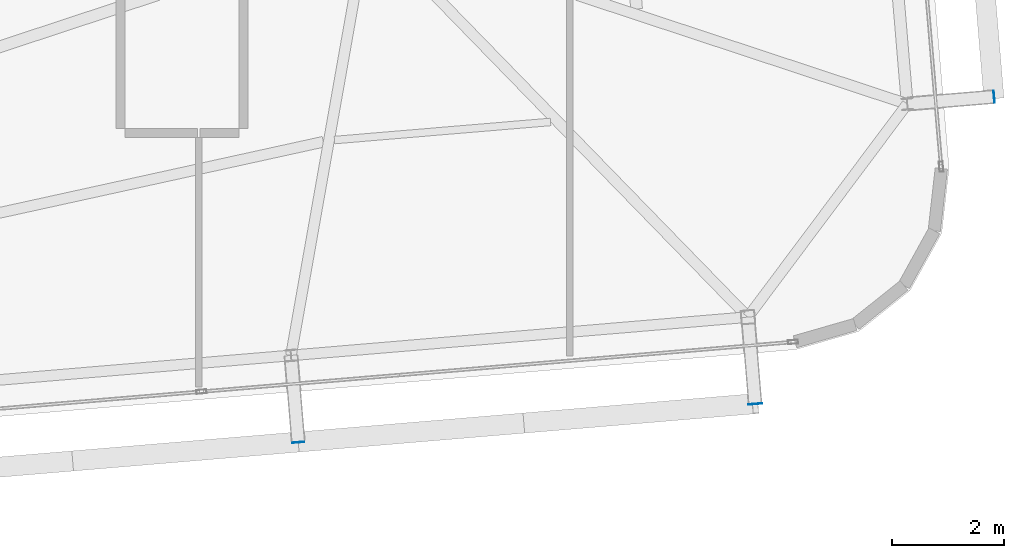
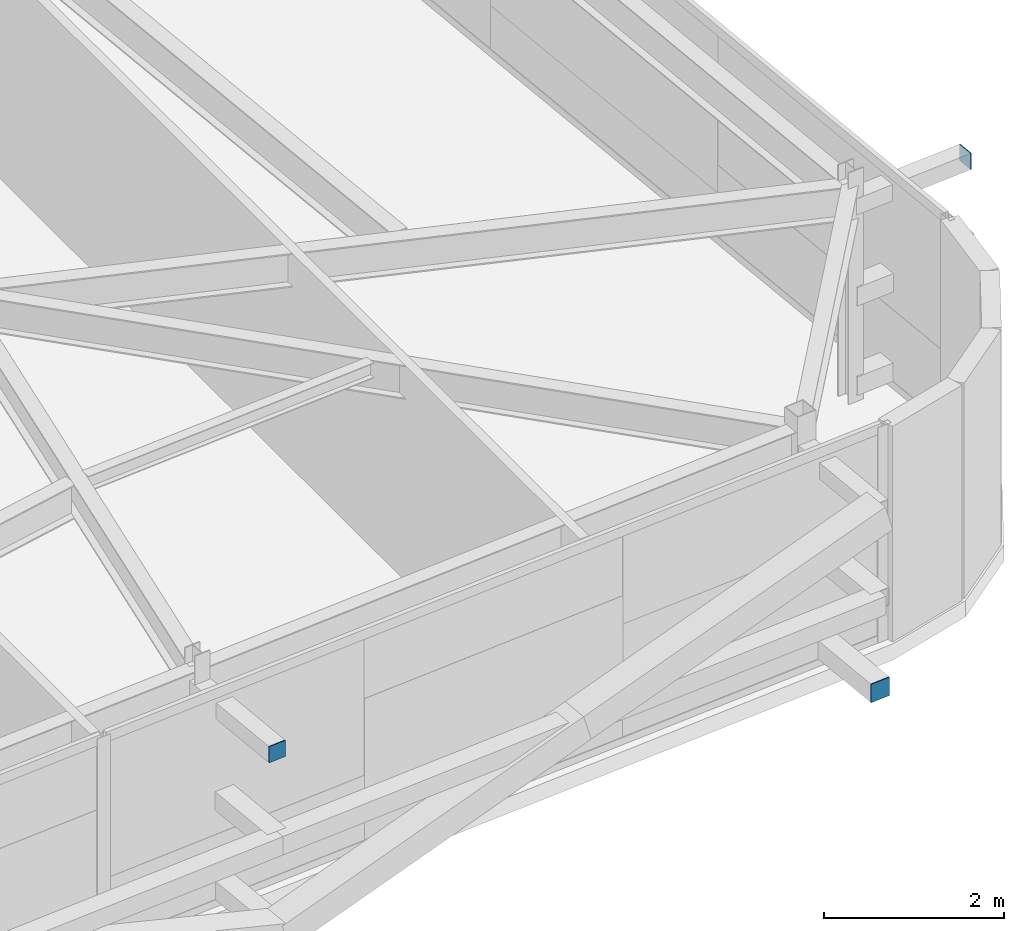
# One storey, part 30 of 39: 3 plates.
"""IFC4 building model written with IfcOpenShell, lengths in metres."""

from ifc_helpers import new_model, si_unit, direction, frame, origin, origin_2d, place, context, subcontext, project, spatial, rectangle, extrude, source, transform, mapped, material, layer, layer_set, type_object, element, save


model = new_model("IFC4")

# Units and contexts
model_context = context("Model", 3, precision=1e-05, world=origin(), true_north=direction((0.0, 1.0)))
body_context = subcontext(model_context, "Body", "Model", "MODEL_VIEW")
ifc_project = project(units=[si_unit("LENGTHUNIT", "METRE"), si_unit("AREAUNIT", "SQUARE_METRE"), si_unit("VOLUMEUNIT", "CUBIC_METRE"), si_unit("PLANEANGLEUNIT", "RADIAN"), si_unit("MASSUNIT", "GRAM", prefix="KILO")], contexts=[model_context])

# Site, building, storey
site_placement = place(None, origin())
site = spatial("IfcSite", under=ifc_project, at=site_placement, CompositionType="ELEMENT")
building_placement = place(site_placement, origin())
building = spatial("IfcBuilding", under=site, at=building_placement, Name="Taldren Reach Tower", CompositionType="ELEMENT")
storey_placement = place(building_placement, frame((0.0, 0.0, 178.85009765625)))
storey = spatial("IfcBuildingStorey", under=building, at=storey_placement, Name="L54", CompositionType="ELEMENT", Elevation=178.85009765625)

# Plates
ifc_material_1 = material(Name="Steel Gr 350 (C350L0)", Category="steel")
ifc_layer_1 = layer(ifc_material_1, 0.011962890625)
ifc_layer_set_1 = layer_set([ifc_layer_1], Name="Steel Gr 350 (C350L0)")
plate_type_1 = type_object("IfcPlateType", Name="PL-CAP-250", PredefinedType="SHEET", material=ifc_layer_set_1)
shared_shape_1 = source(origin(), body_context, "Body", "SweptSolid", [
    extrude(rectangle(XDim=0.25, YDim=0.011962890625, at=origin_2d()), origin(), (0.0, 0.0, 1.0), 0.25),
])
plate_1_placement = place(storey_placement, frame((58.926513671875, 3.9658203125, 0.094970703125), z_axis=(0.0, 0.0, 1.0), x_axis=(0.99649285925, 0.083677843332, 0.0)))
element("IfcPlate", 1, at=plate_1_placement, inside=storey, type_object=plate_type_1, Name="Tie strut end cap plate B4-S6 L54", PredefinedType="SHEET", context=body_context, shape_type="MappedRepresentation", body=[
    mapped(shared_shape_1, transform((0.0, 0.0, 0.0), scale=1.0)),
])
ifc_material_2 = material(Name="Steel Gr 450 (C450L0)", Category="steel")
ifc_layer_2 = layer(ifc_material_2, 0.011962890625)
ifc_layer_set_2 = layer_set([ifc_layer_2], Name="Steel Gr 450 (C450L0)")
plate_type_2 = type_object("IfcPlateType", Name="PL-CAP-220", PredefinedType="SHEET", material=ifc_layer_set_2)
shared_shape_2 = source(origin(), body_context, "Body", "SweptSolid", [
    extrude(rectangle(XDim=0.219970703125, YDim=0.011962890625, at=origin_2d()), origin(), (0.0, 0.0, 1.0), 0.219970703125),
])
plate_2_placement = place(storey_placement, frame((50.775146484375, 3.281494140625, 2.5400390625), z_axis=(0.0, 0.0, 1.0), x_axis=(0.99649285925, 0.083677843332, 0.0)))
element("IfcPlate", 2, at=plate_2_placement, inside=storey, type_object=plate_type_2, Name="Tie strut end cap plate B4-S5 L54", PredefinedType="SHEET", context=body_context, shape_type="MappedRepresentation", body=[
    mapped(shared_shape_2, transform((0.0, 0.0, 0.0), scale=1.0)),
])
shared_shape_3 = source(origin(), body_context, "Body", "SweptSolid", [
    extrude(rectangle(XDim=0.011962890625, YDim=0.219970703125, at=origin_2d()), origin(), (0.0, 0.0, 1.0), 0.219970703125),
])
plate_3_placement = place(storey_placement, frame((63.188720703125, 9.44775390625, 2.5400390625), z_axis=(0.0, 0.0, 1.0), x_axis=(0.99649285925, 0.083677843332, 0.0)))
element("IfcPlate", 3, at=plate_3_placement, inside=storey, type_object=plate_type_2, Name="Tie strut end cap plate B4-E1 L54", PredefinedType="SHEET", context=body_context, shape_type="MappedRepresentation", body=[
    mapped(shared_shape_3, transform((0.0, 0.0, 0.0), scale=1.0)),
])

save(model, "model.ifc")
